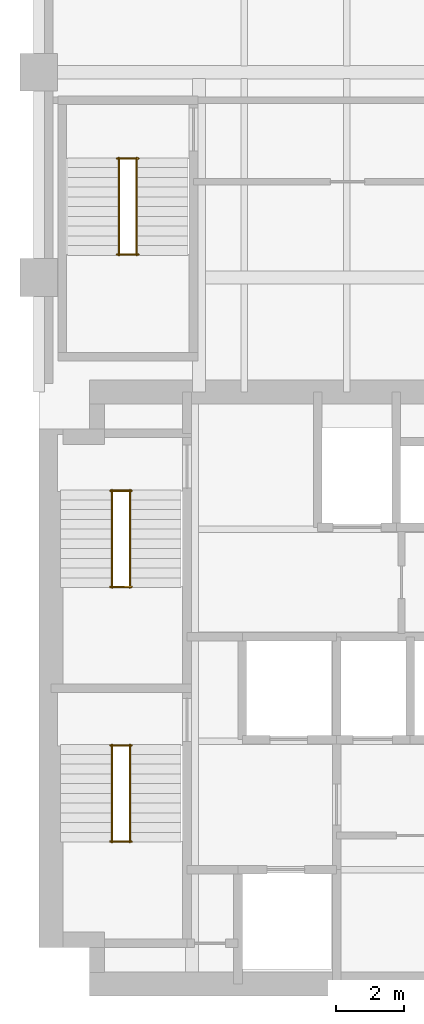
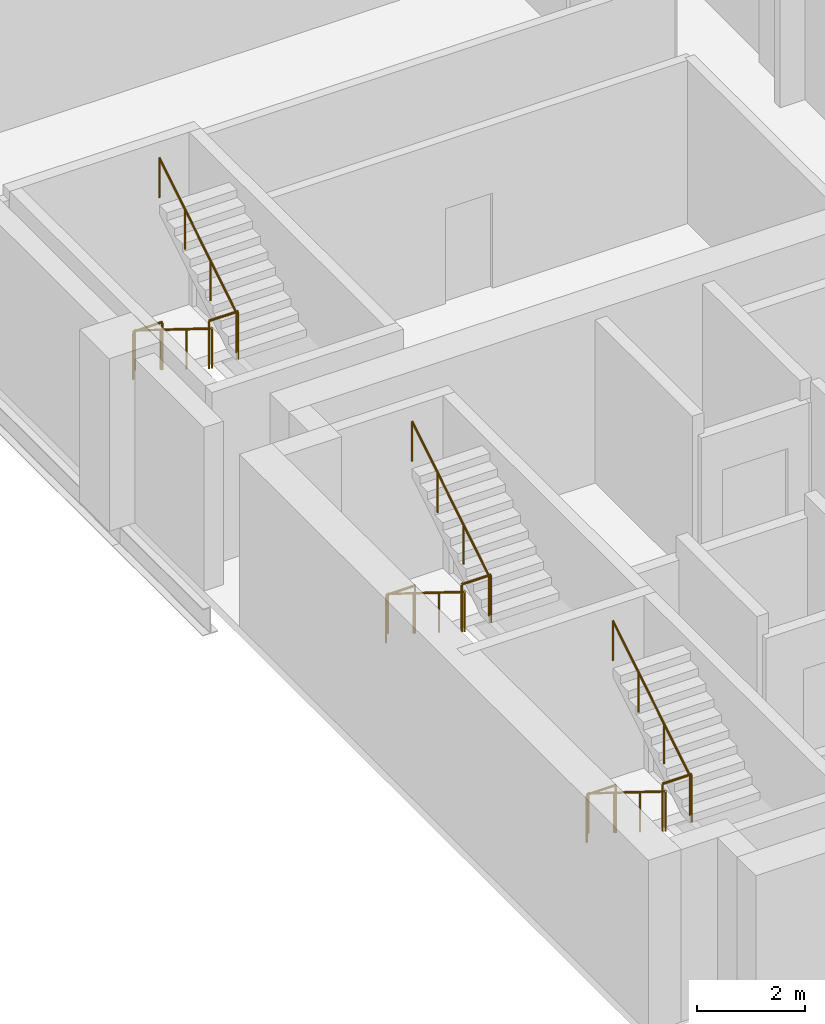
# One storey, part 7 of 7: 12 railings.
"""IFC4 building model written with IfcOpenShell, lengths in metres."""

from ifc_helpers import new_model, si_unit, direction, frame, origin, origin_2d, place, context, subcontext, project, spatial, circle, extrude, material, type_object, element, save


model = new_model("IFC4")

# Units and contexts
model_context = context("Model", 3, precision=1e-05, world=origin(), true_north=direction((0.0, 1.0)))
body_context = subcontext(model_context, "Body", "Model", "MODEL_VIEW")
ifc_project = project(units=[si_unit("LENGTHUNIT", "METRE"), si_unit("AREAUNIT", "SQUARE_METRE"), si_unit("VOLUMEUNIT", "CUBIC_METRE"), si_unit("PLANEANGLEUNIT", "RADIAN"), si_unit("MASSUNIT", "GRAM", prefix="KILO")], contexts=[model_context])

# Site, building, storey
site_placement = place(None, origin())
site = spatial("IfcSite", under=ifc_project, at=site_placement, CompositionType="ELEMENT")
building_placement = place(site_placement, origin())
building = spatial("IfcBuilding", under=site, at=building_placement, Name="Mawjdan Bourse Tower", CompositionType="ELEMENT")
storey_placement = place(building_placement, frame((0.0, 0.0, 116.699951171875)))
storey = spatial("IfcBuildingStorey", under=building, at=storey_placement, Name="L27", CompositionType="ELEMENT", Elevation=116.699951171875)

# Railings
ifc_material_1 = material(Name="Structural Steel S355", Category="steel")
railing_type_1 = type_object("IfcRailingType", Name="RLG-GRD-1100", PredefinedType="GUARDRAIL", material=ifc_material_1)
for number, where, name in (
    (1, (8.090087890625, 7.52001953125, 1.949951171875), "L27 ST1 Landing Guardrail GL-MID"),
    (2, (8.090087890625, 10.330078125, 0.0), "L27 ST1 Landing Guardrail GL-BOT"),
    (3, (8.090087890625, 14.9599609375, 1.949951171875), "L27 ST2 Landing Guardrail GL-MID"),
    (4, (8.090087890625, 17.77001953125, 0.0), "L27 ST2 Landing Guardrail GL-BOT"),
    (5, (8.2900390625, 24.669921875, 1.949951171875), "L27 ST3 Landing Guardrail GL-MID"),
    (6, (8.2900390625, 27.47998046875, 0.0), "L27 ST3 Landing Guardrail GL-BOT"),
):
    element("IfcRailing", number, at=place(storey_placement, frame(where)), inside=storey, type_object=railing_type_1, Name=name, PredefinedType="GUARDRAIL", context=body_context, shape_type="SweptSolid", body=[
        extrude(circle(Radius=0.02490234375, at=origin_2d()), frame((0.0, 0.0, 1.0751953125), z_axis=(1.0, 0.0, 0.0), x_axis=(0.0, 1.0, 0.0)), (0.0, 0.0, 1.0), 0.619873046875),
        extrude(circle(Radius=0.02099609375, at=origin_2d()), origin(), (0.0, 0.0, 1.0), 1.050048828125),
        extrude(circle(Radius=0.02099609375, at=origin_2d()), frame((0.619873046875, 0.0, 0.0)), (0.0, 0.0, 1.0), 1.050048828125),
    ])
ifc_material_2 = material(Name="Brushed Stainless Steel", Category="steel")
railing_type_2 = type_object("IfcRailingType", Name="RLG-HND-920", PredefinedType="HANDRAIL", material=ifc_material_2)
railing_1_placement = place(storey_placement, frame((8.139892578125, 10.35009765625, 0.17724609375)))
element("IfcRailing", 7, at=railing_1_placement, inside=storey, type_object=railing_type_2, Name="L27 ST1 Flight Handrail HR1", PredefinedType="HANDRAIL", context=body_context, shape_type="SweptSolid", body=[
    extrude(circle(Radius=0.0224609375, at=origin_2d()), frame((0.0, 0.0, 0.8974609375), z_axis=(0.0, -0.849148672731, 0.528153890072), x_axis=(1.0, 0.0, 0.0)), (0.0, 0.0, 1.0), 3.3564453125),
    extrude(circle(Radius=0.01904296875, at=origin_2d()), origin(), (0.0, 0.0, 1.0), 0.875),
    extrude(circle(Radius=0.01904296875, at=origin_2d()), frame((0.0, -0.949951171875, 0.5908203125)), (0.0, 0.0, 1.0), 0.875),
    extrude(circle(Radius=0.01904296875, at=origin_2d()), frame((0.0, -1.900146484375, 1.181884765625)), (0.0, 0.0, 1.0), 0.875),
    extrude(circle(Radius=0.01904296875, at=origin_2d()), frame((0.0, -2.85009765625, 1.772705078125)), (0.0, 0.0, 1.0), 0.875),
])
railing_2_placement = place(storey_placement, frame((8.659912109375, 7.5, 2.12744140625)))
element("IfcRailing", 8, at=railing_2_placement, inside=storey, type_object=railing_type_2, Name="L27 ST1 Flight Handrail HR2", PredefinedType="HANDRAIL", context=body_context, shape_type="SweptSolid", body=[
    extrude(circle(Radius=0.0224609375, at=origin_2d()), frame((0.0, 0.0, 0.8974609375), z_axis=(0.0, 0.849148672731, 0.528153890072), x_axis=(-1.0, 0.0, 0.0)), (0.0, 0.0, 1.0), 3.3564453125),
    extrude(circle(Radius=0.01904296875, at=origin_2d()), origin(), (0.0, 0.0, 1.0), 0.875),
    extrude(circle(Radius=0.01904296875, at=origin_2d()), frame((0.0, 0.949951171875, 0.5908203125)), (0.0, 0.0, 1.0), 0.875),
    extrude(circle(Radius=0.01904296875, at=origin_2d()), frame((0.0, 1.900146484375, 1.181884765625)), (0.0, 0.0, 1.0), 0.875),
    extrude(circle(Radius=0.01904296875, at=origin_2d()), frame((0.0, 2.85009765625, 1.772705078125)), (0.0, 0.0, 1.0), 0.875),
])
railing_3_placement = place(storey_placement, frame((8.139892578125, 17.7900390625, 0.17724609375)))
element("IfcRailing", 9, at=railing_3_placement, inside=storey, type_object=railing_type_2, Name="L27 ST2 Flight Handrail HR1", PredefinedType="HANDRAIL", context=body_context, shape_type="SweptSolid", body=[
    extrude(circle(Radius=0.0224609375, at=origin_2d()), frame((0.0, 0.0, 0.8974609375), z_axis=(0.0, -0.849148672731, 0.528153890072), x_axis=(1.0, 0.0, 0.0)), (0.0, 0.0, 1.0), 3.3564453125),
    extrude(circle(Radius=0.01904296875, at=origin_2d()), origin(), (0.0, 0.0, 1.0), 0.875),
    extrude(circle(Radius=0.01904296875, at=origin_2d()), frame((0.0, -0.949951171875, 0.5908203125)), (0.0, 0.0, 1.0), 0.875),
    extrude(circle(Radius=0.01904296875, at=origin_2d()), frame((0.0, -1.900146484375, 1.181884765625)), (0.0, 0.0, 1.0), 0.875),
    extrude(circle(Radius=0.01904296875, at=origin_2d()), frame((0.0, -2.85009765625, 1.772705078125)), (0.0, 0.0, 1.0), 0.875),
])
railing_4_placement = place(storey_placement, frame((8.659912109375, 14.93994140625, 2.12744140625)))
element("IfcRailing", 10, at=railing_4_placement, inside=storey, type_object=railing_type_2, Name="L27 ST2 Flight Handrail HR2", PredefinedType="HANDRAIL", context=body_context, shape_type="SweptSolid", body=[
    extrude(circle(Radius=0.0224609375, at=origin_2d()), frame((0.0, 0.0, 0.8974609375), z_axis=(0.0, 0.849148672731, 0.528153890072), x_axis=(-1.0, 0.0, 0.0)), (0.0, 0.0, 1.0), 3.3564453125),
    extrude(circle(Radius=0.01904296875, at=origin_2d()), origin(), (0.0, 0.0, 1.0), 0.875),
    extrude(circle(Radius=0.01904296875, at=origin_2d()), frame((0.0, 0.949951171875, 0.5908203125)), (0.0, 0.0, 1.0), 0.875),
    extrude(circle(Radius=0.01904296875, at=origin_2d()), frame((0.0, 1.900146484375, 1.181884765625)), (0.0, 0.0, 1.0), 0.875),
    extrude(circle(Radius=0.01904296875, at=origin_2d()), frame((0.0, 2.85009765625, 1.772705078125)), (0.0, 0.0, 1.0), 0.875),
])
railing_5_placement = place(storey_placement, frame((8.340087890625, 27.5, 0.17724609375)))
element("IfcRailing", 11, at=railing_5_placement, inside=storey, type_object=railing_type_2, Name="L27 ST3 Flight Handrail HR1", PredefinedType="HANDRAIL", context=body_context, shape_type="SweptSolid", body=[
    extrude(circle(Radius=0.0224609375, at=origin_2d()), frame((0.0, 0.0, 0.8974609375), z_axis=(0.0, -0.849148672731, 0.528153890072), x_axis=(1.0, 0.0, 0.0)), (0.0, 0.0, 1.0), 3.3564453125),
    extrude(circle(Radius=0.01904296875, at=origin_2d()), origin(), (0.0, 0.0, 1.0), 0.875),
    extrude(circle(Radius=0.01904296875, at=origin_2d()), frame((0.0, -0.949951171875, 0.5908203125)), (0.0, 0.0, 1.0), 0.875),
    extrude(circle(Radius=0.01904296875, at=origin_2d()), frame((0.0, -1.900146484375, 1.181884765625)), (0.0, 0.0, 1.0), 0.875),
    extrude(circle(Radius=0.01904296875, at=origin_2d()), frame((0.0, -2.85009765625, 1.772705078125)), (0.0, 0.0, 1.0), 0.875),
])
railing_6_placement = place(storey_placement, frame((8.860107421875, 24.64990234375, 2.12744140625)))
element("IfcRailing", 12, at=railing_6_placement, inside=storey, type_object=railing_type_2, Name="L27 ST3 Flight Handrail HR2", PredefinedType="HANDRAIL", context=body_context, shape_type="SweptSolid", body=[
    extrude(circle(Radius=0.0224609375, at=origin_2d()), frame((0.0, 0.0, 0.8974609375), z_axis=(0.0, 0.849148672731, 0.528153890072), x_axis=(-1.0, 0.0, 0.0)), (0.0, 0.0, 1.0), 3.3564453125),
    extrude(circle(Radius=0.01904296875, at=origin_2d()), origin(), (0.0, 0.0, 1.0), 0.875),
    extrude(circle(Radius=0.01904296875, at=origin_2d()), frame((0.0, 0.949951171875, 0.5908203125)), (0.0, 0.0, 1.0), 0.875),
    extrude(circle(Radius=0.01904296875, at=origin_2d()), frame((0.0, 1.900146484375, 1.181884765625)), (0.0, 0.0, 1.0), 0.875),
    extrude(circle(Radius=0.01904296875, at=origin_2d()), frame((0.0, 2.85009765625, 1.772705078125)), (0.0, 0.0, 1.0), 0.875),
])

save(model, "model.ifc")
